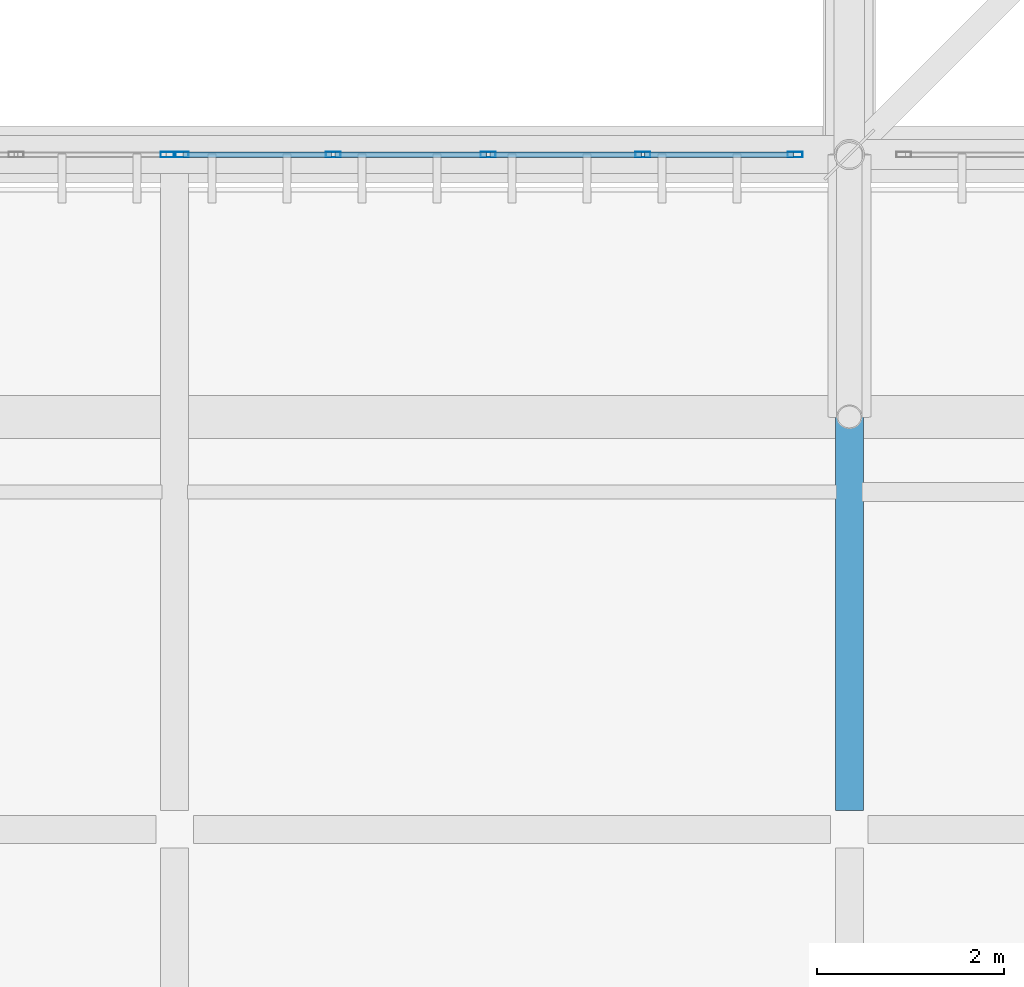
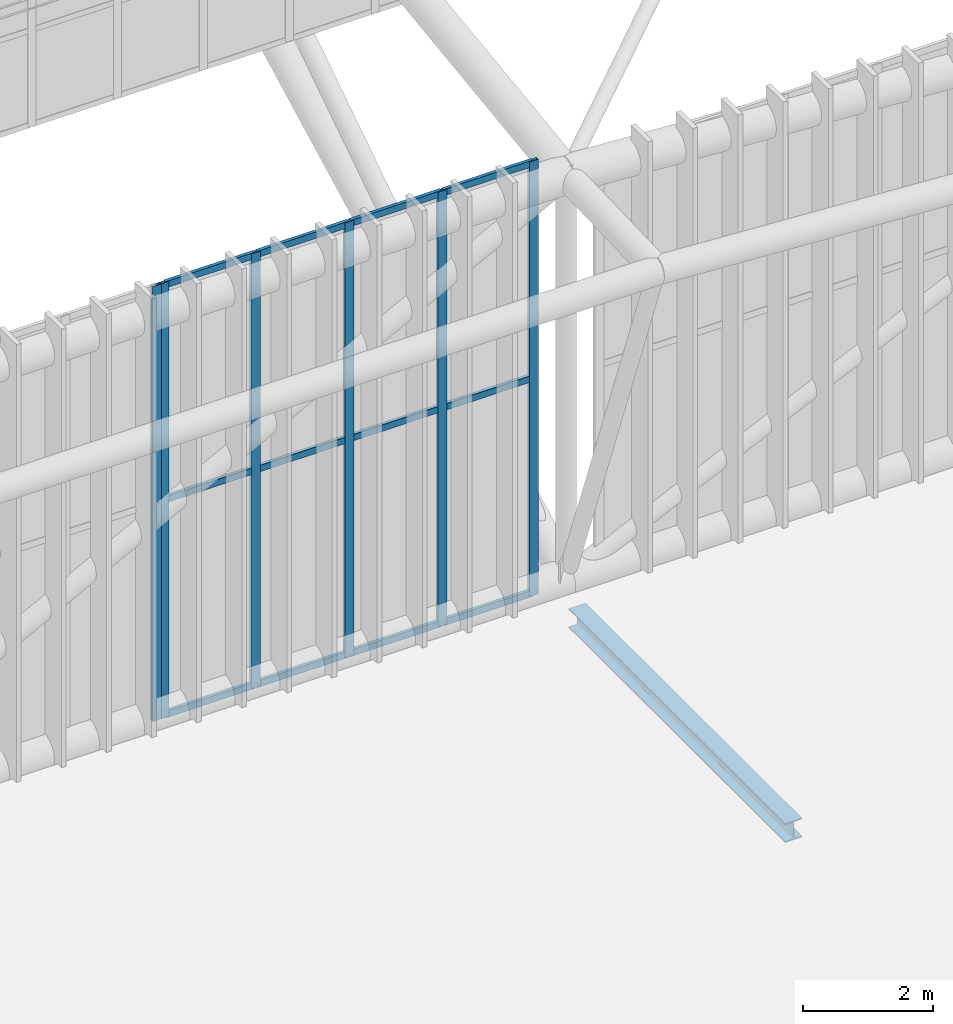
# One storey, part 77 of 397: 18 members, 1 beam, 2 elements without a shape of their own.
"""IFC4 building model written with IfcOpenShell, lengths in metres."""

from ifc_helpers import new_model, si_unit, direction, frame, origin, origin_2d, place, context, subcontext, project, spatial, hollow_rectangle, i_section, extrude, material, material_profile, profile_set, type_object, element, aggregate, save


model = new_model("IFC4")

# Units and contexts
model_context = context("Model", 3, precision=1e-05, world=origin(), true_north=direction((0.0, 1.0)))
body_context = subcontext(model_context, "Body", "Model", "MODEL_VIEW")
ifc_project = project(units=[si_unit("LENGTHUNIT", "METRE"), si_unit("AREAUNIT", "SQUARE_METRE"), si_unit("VOLUMEUNIT", "CUBIC_METRE"), si_unit("PLANEANGLEUNIT", "RADIAN"), si_unit("MASSUNIT", "GRAM", prefix="KILO")], contexts=[model_context])

# Site, building, storey
site_placement = place(None, origin())
site = spatial("IfcSite", under=ifc_project, at=site_placement, CompositionType="ELEMENT")
building_placement = place(site_placement, origin())
building = spatial("IfcBuilding", under=site, at=building_placement, Name="Qandorah Velis Arena", CompositionType="ELEMENT")
storey_placement = place(building_placement, frame((0.0, 0.0, 27.5)))
storey = spatial("IfcBuildingStorey", under=building, at=storey_placement, Name="RF", CompositionType="ELEMENT", Elevation=27.5)

# Curtain wall, member
ifc_material_1 = material(Name="Solar-control low-E double glazing", Category="glass")
curtain_wall_type_1 = type_object("IfcCurtainWallType", Name="ARC-CW-SYS20", PredefinedType="USERDEFINED", material=ifc_material_1)
curtain_wall_1_placement = place(storey_placement, origin())
curtain_wall_1 = element("IfcCurtainWall", 1, at=curtain_wall_1_placement, inside=storey, type_object=curtain_wall_type_1, Name="Unitised curtain wall CROWN-3-04S1", ObjectType="UNITISED CURTAIN WALL", PredefinedType="USERDEFINED")
ifc_material_2 = material(Name="Champagne-bronze anodized aluminium 6063-T6", Category="aluminium")
ifc_material_profile_1 = material_profile(ifc_material_2, hollow_rectangle(XDim=0.06005859375, YDim=0.159912109375, WallThickness=0.00341796875, at=origin_2d()), Name="ALU MULLION 60x160")
ifc_profile_set_1 = profile_set([ifc_material_profile_1], Name="Champagne-bronze anodized aluminium 6063-T6")
member_type_1 = type_object("IfcMemberType", Name="ARC-CWM-160", PredefinedType="MULLION", material=ifc_profile_set_1)
member_1_placement = place(storey_placement, frame((64.72998046875, 14.39990234375, -0.014892578125), z_axis=(0.0, 0.0, 1.0), x_axis=(0.0, 1.0, 0.0)))
member_1 = element("IfcMember", 2, at=member_1_placement, type_object=member_type_1, Name="CW20 mullion 5", PredefinedType="MULLION", context=body_context, shape_type="SweptSolid", body=[
    extrude(hollow_rectangle(XDim=0.06005859375, YDim=0.159912109375, WallThickness=0.00341796875, at=origin_2d()), origin(), (0.0, 0.0, 1.0), 8.150634765625),
])
aggregate(curtain_wall_1, [member_1])

# Curtain wall, members
curtain_wall_type_2 = type_object("IfcCurtainWallType", Name="ARC-CW-SYS21", PredefinedType="USERDEFINED", material=ifc_material_1)
curtain_wall_2_placement = place(storey_placement, origin())
curtain_wall_2 = element("IfcCurtainWall", 3, at=curtain_wall_2_placement, inside=storey, type_object=curtain_wall_type_2, Name="Unitised curtain wall CROWN-3-04S2", ObjectType="UNITISED CURTAIN WALL", PredefinedType="USERDEFINED")
member_2_placement = place(storey_placement, frame((64.8701171875, 14.39990234375, -0.014892578125), z_axis=(0.0, 0.0, 1.0), x_axis=(0.0, 1.0, 0.0)))
member_2 = element("IfcMember", 4, at=member_2_placement, type_object=member_type_1, Name="CW21 mullion 1", PredefinedType="MULLION", context=body_context, shape_type="SweptSolid", body=[
    extrude(hollow_rectangle(XDim=0.06005859375, YDim=0.159912109375, WallThickness=0.00341796875, at=origin_2d()), origin(), (0.0, 0.0, 1.0), 8.150634765625),
])
member_3_placement = place(storey_placement, frame((66.492431640625, 14.39990234375, -0.014892578125), z_axis=(0.0, 0.0, 1.0), x_axis=(0.0, 1.0, 0.0)))
member_3 = element("IfcMember", 5, at=member_3_placement, type_object=member_type_1, Name="CW21 mullion 2", PredefinedType="MULLION", context=body_context, shape_type="SweptSolid", body=[
    extrude(hollow_rectangle(XDim=0.06005859375, YDim=0.159912109375, WallThickness=0.00341796875, at=origin_2d()), origin(), (0.0, 0.0, 1.0), 8.150634765625),
])
member_4_placement = place(storey_placement, frame((68.14501953125, 14.39990234375, -0.014892578125), z_axis=(0.0, 0.0, 1.0), x_axis=(0.0, 1.0, 0.0)))
member_4 = element("IfcMember", 6, at=member_4_placement, type_object=member_type_1, Name="CW21 mullion 3", PredefinedType="MULLION", context=body_context, shape_type="SweptSolid", body=[
    extrude(hollow_rectangle(XDim=0.06005859375, YDim=0.159912109375, WallThickness=0.00341796875, at=origin_2d()), origin(), (0.0, 0.0, 1.0), 8.150634765625),
])
member_5_placement = place(storey_placement, frame((69.797607421875, 14.39990234375, -0.014892578125), z_axis=(0.0, 0.0, 1.0), x_axis=(0.0, 1.0, 0.0)))
member_5 = element("IfcMember", 7, at=member_5_placement, type_object=member_type_1, Name="CW21 mullion 4", PredefinedType="MULLION", context=body_context, shape_type="SweptSolid", body=[
    extrude(hollow_rectangle(XDim=0.06005859375, YDim=0.159912109375, WallThickness=0.00341796875, at=origin_2d()), origin(), (0.0, 0.0, 1.0), 8.150634765625),
])
member_6_placement = place(storey_placement, frame((71.419921875, 14.39990234375, -0.014892578125), z_axis=(0.0, 0.0, 1.0), x_axis=(0.0, 1.0, 0.0)))
member_6 = element("IfcMember", 8, at=member_6_placement, type_object=member_type_1, Name="CW21 mullion 5", PredefinedType="MULLION", context=body_context, shape_type="SweptSolid", body=[
    extrude(hollow_rectangle(XDim=0.06005859375, YDim=0.159912109375, WallThickness=0.00341796875, at=origin_2d()), origin(), (0.0, 0.0, 1.0), 8.150634765625),
])
ifc_material_profile_2 = material_profile(ifc_material_2, hollow_rectangle(XDim=0.06005859375, YDim=0.1201171875, WallThickness=0.0029296875, at=origin_2d()), Name="ALU TRANSOM 60x120")
ifc_profile_set_2 = profile_set([ifc_material_profile_2], Name="Champagne-bronze anodized aluminium 6063-T6")
member_type_2 = type_object("IfcMemberType", Name="ARC-CWT-120", PredefinedType="USERDEFINED", material=ifc_profile_set_2)
member_7_placement = place(storey_placement, frame((64.887939453125, 14.39990234375, 0.030029296875), z_axis=(1.0, 0.0, 0.0), x_axis=(0.0, 1.0, 0.0)))
member_7 = element("IfcMember", 9, at=member_7_placement, type_object=member_type_2, Name="CW21 transom 1.1", ObjectType="TRANSOM", PredefinedType="USERDEFINED", context=body_context, shape_type="SweptSolid", body=[
    extrude(hollow_rectangle(XDim=0.06005859375, YDim=0.1201171875, WallThickness=0.0029296875, at=origin_2d()), origin(), (0.0, 0.0, 1.0), 1.586669921875),
])
member_8_placement = place(storey_placement, frame((64.887939453125, 14.39990234375, 4.060302734375), z_axis=(1.0, 0.0, 0.0), x_axis=(0.0, 1.0, 0.0)))
member_8 = element("IfcMember", 10, at=member_8_placement, type_object=member_type_2, Name="CW21 transom 1.2", ObjectType="TRANSOM", PredefinedType="USERDEFINED", context=body_context, shape_type="SweptSolid", body=[
    extrude(hollow_rectangle(XDim=0.06005859375, YDim=0.1201171875, WallThickness=0.0029296875, at=origin_2d()), origin(), (0.0, 0.0, 1.0), 1.586669921875),
])
member_9_placement = place(storey_placement, frame((64.887939453125, 14.39990234375, 8.0908203125), z_axis=(1.0, 0.0, 0.0), x_axis=(0.0, 1.0, 0.0)))
member_9 = element("IfcMember", 11, at=member_9_placement, type_object=member_type_2, Name="CW21 transom 1.3", ObjectType="TRANSOM", PredefinedType="USERDEFINED", context=body_context, shape_type="SweptSolid", body=[
    extrude(hollow_rectangle(XDim=0.06005859375, YDim=0.1201171875, WallThickness=0.0029296875, at=origin_2d()), origin(), (0.0, 0.0, 1.0), 1.586669921875),
])
member_10_placement = place(storey_placement, frame((66.510498046875, 14.39990234375, 0.030029296875), z_axis=(1.0, 0.0, 0.0), x_axis=(0.0, 1.0, 0.0)))
member_10 = element("IfcMember", 12, at=member_10_placement, type_object=member_type_2, Name="CW21 transom 2.1", ObjectType="TRANSOM", PredefinedType="USERDEFINED", context=body_context, shape_type="SweptSolid", body=[
    extrude(hollow_rectangle(XDim=0.06005859375, YDim=0.1201171875, WallThickness=0.0029296875, at=origin_2d()), origin(), (0.0, 0.0, 1.0), 1.616455078125),
])
member_11_placement = place(storey_placement, frame((66.510498046875, 14.39990234375, 4.060302734375), z_axis=(1.0, 0.0, 0.0), x_axis=(0.0, 1.0, 0.0)))
member_11 = element("IfcMember", 13, at=member_11_placement, type_object=member_type_2, Name="CW21 transom 2.2", ObjectType="TRANSOM", PredefinedType="USERDEFINED", context=body_context, shape_type="SweptSolid", body=[
    extrude(hollow_rectangle(XDim=0.06005859375, YDim=0.1201171875, WallThickness=0.0029296875, at=origin_2d()), origin(), (0.0, 0.0, 1.0), 1.616455078125),
])
member_12_placement = place(storey_placement, frame((66.510498046875, 14.39990234375, 8.0908203125), z_axis=(1.0, 0.0, 0.0), x_axis=(0.0, 1.0, 0.0)))
member_12 = element("IfcMember", 14, at=member_12_placement, type_object=member_type_2, Name="CW21 transom 2.3", ObjectType="TRANSOM", PredefinedType="USERDEFINED", context=body_context, shape_type="SweptSolid", body=[
    extrude(hollow_rectangle(XDim=0.06005859375, YDim=0.1201171875, WallThickness=0.0029296875, at=origin_2d()), origin(), (0.0, 0.0, 1.0), 1.616455078125),
])
member_13_placement = place(storey_placement, frame((68.1630859375, 14.39990234375, 0.030029296875), z_axis=(1.0, 0.0, 0.0), x_axis=(0.0, 1.0, 0.0)))
member_13 = element("IfcMember", 15, at=member_13_placement, type_object=member_type_2, Name="CW21 transom 3.1", ObjectType="TRANSOM", PredefinedType="USERDEFINED", context=body_context, shape_type="SweptSolid", body=[
    extrude(hollow_rectangle(XDim=0.06005859375, YDim=0.1201171875, WallThickness=0.0029296875, at=origin_2d()), origin(), (0.0, 0.0, 1.0), 1.616455078125),
])
member_14_placement = place(storey_placement, frame((68.1630859375, 14.39990234375, 4.060302734375), z_axis=(1.0, 0.0, 0.0), x_axis=(0.0, 1.0, 0.0)))
member_14 = element("IfcMember", 16, at=member_14_placement, type_object=member_type_2, Name="CW21 transom 3.2", ObjectType="TRANSOM", PredefinedType="USERDEFINED", context=body_context, shape_type="SweptSolid", body=[
    extrude(hollow_rectangle(XDim=0.06005859375, YDim=0.1201171875, WallThickness=0.0029296875, at=origin_2d()), origin(), (0.0, 0.0, 1.0), 1.616455078125),
])
member_15_placement = place(storey_placement, frame((68.1630859375, 14.39990234375, 8.0908203125), z_axis=(1.0, 0.0, 0.0), x_axis=(0.0, 1.0, 0.0)))
member_15 = element("IfcMember", 17, at=member_15_placement, type_object=member_type_2, Name="CW21 transom 3.3", ObjectType="TRANSOM", PredefinedType="USERDEFINED", context=body_context, shape_type="SweptSolid", body=[
    extrude(hollow_rectangle(XDim=0.06005859375, YDim=0.1201171875, WallThickness=0.0029296875, at=origin_2d()), origin(), (0.0, 0.0, 1.0), 1.616455078125),
])
member_16_placement = place(storey_placement, frame((69.8154296875, 14.39990234375, 0.030029296875), z_axis=(1.0, 0.0, 0.0), x_axis=(0.0, 1.0, 0.0)))
member_16 = element("IfcMember", 18, at=member_16_placement, type_object=member_type_2, Name="CW21 transom 4.1", ObjectType="TRANSOM", PredefinedType="USERDEFINED", context=body_context, shape_type="SweptSolid", body=[
    extrude(hollow_rectangle(XDim=0.06005859375, YDim=0.1201171875, WallThickness=0.0029296875, at=origin_2d()), origin(), (0.0, 0.0, 1.0), 1.586669921875),
])
member_17_placement = place(storey_placement, frame((69.8154296875, 14.39990234375, 4.060302734375), z_axis=(1.0, 0.0, 0.0), x_axis=(0.0, 1.0, 0.0)))
member_17 = element("IfcMember", 19, at=member_17_placement, type_object=member_type_2, Name="CW21 transom 4.2", ObjectType="TRANSOM", PredefinedType="USERDEFINED", context=body_context, shape_type="SweptSolid", body=[
    extrude(hollow_rectangle(XDim=0.06005859375, YDim=0.1201171875, WallThickness=0.0029296875, at=origin_2d()), origin(), (0.0, 0.0, 1.0), 1.586669921875),
])
member_18_placement = place(storey_placement, frame((69.8154296875, 14.39990234375, 8.0908203125), z_axis=(1.0, 0.0, 0.0), x_axis=(0.0, 1.0, 0.0)))
member_18 = element("IfcMember", 20, at=member_18_placement, type_object=member_type_2, Name="CW21 transom 4.3", ObjectType="TRANSOM", PredefinedType="USERDEFINED", context=body_context, shape_type="SweptSolid", body=[
    extrude(hollow_rectangle(XDim=0.06005859375, YDim=0.1201171875, WallThickness=0.0029296875, at=origin_2d()), origin(), (0.0, 0.0, 1.0), 1.586669921875),
])
aggregate(curtain_wall_2, [member_2, member_3, member_4, member_5, member_6, member_7, member_8, member_9, member_10, member_11, member_12, member_13, member_14, member_15, member_16, member_17, member_18])

# Beam
ifc_material_3 = material(Name="Steel S355", Category="steel")
ifc_material_profile_3 = material_profile(ifc_material_3, i_section(OverallWidth=0.300048828125, OverallDepth=0.360107421875, WebThickness=0.012451171875, FlangeThickness=0.0224609375, FilletRadius=0.027099609375, at=origin_2d()), Name="HEB 360")
ifc_profile_set_3 = profile_set([ifc_material_profile_3], Name="Steel S355")
beam_type = type_object("IfcBeamType", Name="STR-BM-HEB360", PredefinedType="BEAM", material=ifc_profile_set_3)
beam_placement = place(storey_placement, frame((72.0, 7.39990234375, -0.39990234375), z_axis=(0.0, 1.0, 0.0), x_axis=(-1.0, 0.0, 0.0)))
element("IfcBeam", 21, at=beam_placement, inside=storey, type_object=beam_type, Name="Primary floor girder RF Y-112", PredefinedType="BEAM", context=body_context, shape_type="SweptSolid", body=[
    extrude(i_section(OverallWidth=0.300048828125, OverallDepth=0.360107421875, WebThickness=0.012451171875, FlangeThickness=0.0224609375, FilletRadius=0.027099609375, at=origin_2d()), origin(), (0.0, 0.0, 1.0), 6.650146484375),
])

save(model, "model.ifc")
